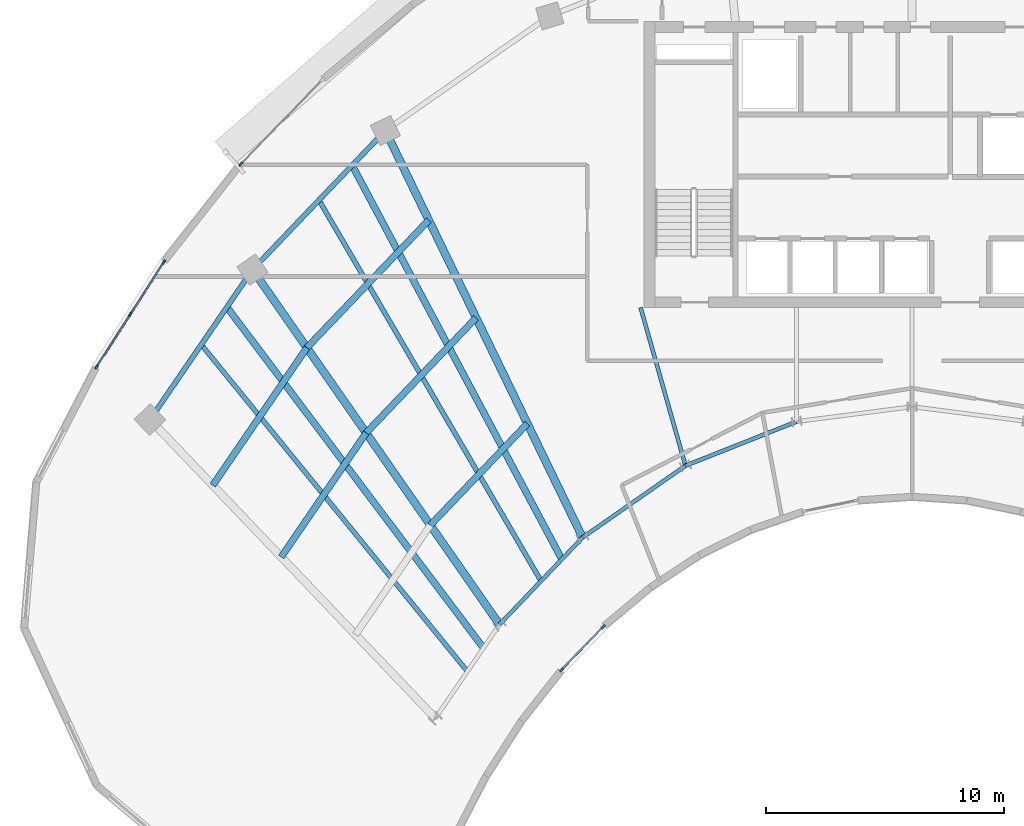
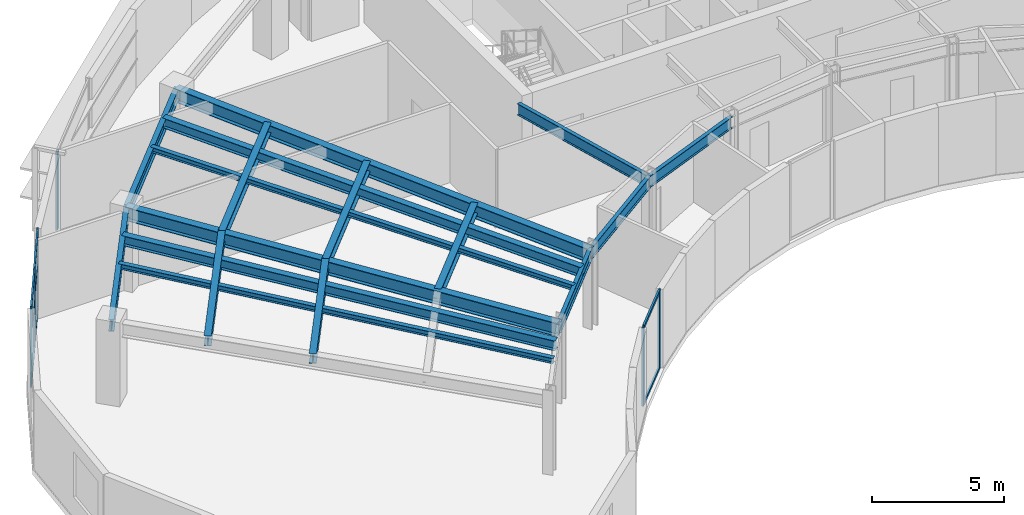
# One storey, part 2 of 14: 17 beams, 14 members, 3 elements without a shape of their own.
"""IFC4 building model written with IfcOpenShell, lengths in metres."""

from ifc_helpers import new_model, si_unit, direction, frame, origin, origin_2d, place, context, subcontext, project, spatial, rectangle, i_section, extrude, source, transform, mapped, material, layer, layer_set, material_profile, profile_set, type_object, type_shapes, element, aggregate, save


model = new_model("IFC4")

# Units and contexts
model_context = context("Model", 3, precision=1e-05, world=origin(), true_north=direction((0.0, 1.0)))
body_context = subcontext(model_context, "Body", "Model", "MODEL_VIEW")
ifc_project = project(units=[si_unit("LENGTHUNIT", "METRE"), si_unit("AREAUNIT", "SQUARE_METRE"), si_unit("VOLUMEUNIT", "CUBIC_METRE"), si_unit("PLANEANGLEUNIT", "RADIAN"), si_unit("MASSUNIT", "GRAM", prefix="KILO")], contexts=[model_context])

# Site, building, storey
site_placement = place(None, origin())
site = spatial("IfcSite", under=ifc_project, at=site_placement, CompositionType="ELEMENT")
building_placement = place(site_placement, origin())
building = spatial("IfcBuilding", under=site, at=building_placement, Name="Breltana Convention Tower", CompositionType="ELEMENT")
storey_placement = place(building_placement, frame((0.0, 0.0, 207.89990234375)))
storey = spatial("IfcBuildingStorey", under=building, at=storey_placement, Name="L50", CompositionType="ELEMENT", Elevation=207.89990234375)

# Beams
ifc_material_1 = material(Name="Steel ASTM A992 Grade 50", Category="steel")
ifc_material_profile_1 = material_profile(ifc_material_1, i_section(OverallWidth=0.280029296875, OverallDepth=0.462890625, WebThickness=0.0107421875, FlangeThickness=0.017333984375, at=origin_2d()), Name="W18X76")
ifc_profile_set_1 = profile_set([ifc_material_profile_1], Name="Steel ASTM A992 Grade 50")
beam_type_1 = type_object("IfcBeamType", Name="BM-JSG-06", PredefinedType="JOIST", material=ifc_profile_set_1)
shared_shape_1 = source(origin(), body_context, "Body", "SweptSolid", [
    extrude(i_section(OverallWidth=0.280029296875, OverallDepth=0.462890625, WebThickness=0.0107421875, FlangeThickness=0.017333984375, at=origin_2d()), origin(), (0.0, 0.0, 1.0), 6.311767578125),
])
beam_1_placement = place(storey_placement, frame((21.5166015625, 49.72607421875, 3.40869140625), z_axis=(0.564453712577, 0.825464721449, 0.0), x_axis=(-0.825464721449, 0.564453712577, 0.0)))
element("IfcBeam", 1, at=beam_1_placement, inside=storey, type_object=beam_type_1, Name="L50 Composite Floor Joist 01.2", PredefinedType="JOIST", context=body_context, shape_type="MappedRepresentation", body=[
    mapped(shared_shape_1, transform((0.0, 0.0, 0.0), scale=1.0)),
])
shared_shape_2 = source(origin(), body_context, "Body", "SweptSolid", [
    extrude(i_section(OverallWidth=0.280029296875, OverallDepth=0.462890625, WebThickness=0.0107421875, FlangeThickness=0.017333984375, at=origin_2d()), origin(), (0.0, 0.0, 1.0), 6.997314453125),
])
beam_2_placement = place(storey_placement, frame((18.641845703125, 52.735595703125, 3.40869140625), z_axis=(0.564468756361, 0.825454434292, 0.0), x_axis=(-0.825454434292, 0.564468756361, 0.0)))
element("IfcBeam", 2, at=beam_2_placement, inside=storey, type_object=beam_type_1, Name="L50 Composite Floor Joist 01.3", PredefinedType="JOIST", context=body_context, shape_type="MappedRepresentation", body=[
    mapped(shared_shape_2, transform((0.0, 0.0, 0.0), scale=1.0)),
])
ifc_material_profile_2 = material_profile(ifc_material_1, i_section(OverallWidth=0.201904296875, OverallDepth=0.2470703125, WebThickness=0.00732421875, FlangeThickness=0.010986328125, at=origin_2d()), Name="W10X33")
ifc_profile_set_2 = profile_set([ifc_material_profile_2], Name="Steel ASTM A992 Grade 50")
beam_type_2 = type_object("IfcBeamType", Name="BM-JSG-11", PredefinedType="JOIST", material=ifc_profile_set_2)
shared_shape_3 = source(origin(), body_context, "Body", "SweptSolid", [
    extrude(i_section(OverallWidth=0.201904296875, OverallDepth=0.2470703125, WebThickness=0.00732421875, FlangeThickness=0.010986328125, at=origin_2d()), origin(), (0.0, 0.0, 1.0), 17.691650390625),
])
type_shapes(beam_type_2, [shared_shape_3])
beam_3_placement = place(storey_placement, frame((29.330810546875, 44.923583984375, 3.5166015625), z_axis=(-0.631476958478, 0.775394642044, 0.0), x_axis=(-0.775394642044, -0.631476958478, 0.0)))
element("IfcBeam", 3, at=beam_3_placement, inside=storey, type_object=beam_type_2, Name="L50 Mid-Bay Radial Trimmer 01", PredefinedType="JOIST", context=body_context, shape_type="MappedRepresentation", body=[
    mapped(shared_shape_3, transform((0.0, 0.0, 0.0), scale=1.0)),
])
shared_shape_4 = source(origin(), body_context, "Body", "SweptSolid", [
    extrude(i_section(OverallWidth=0.280029296875, OverallDepth=0.462890625, WebThickness=0.0107421875, FlangeThickness=0.017333984375, at=origin_2d()), origin(), (0.0, 0.0, 1.0), 17.9072265625),
])
beam_4_placement = place(storey_placement, frame((30.00390625, 45.907958984375, 3.40869140625), z_axis=(-0.601382105028, 0.798961553363, 0.0), x_axis=(-0.798961553363, -0.601382105028, 0.0)))
element("IfcBeam", 4, at=beam_4_placement, inside=storey, type_object=beam_type_1, Name="L50 Quarter-Bay Radial Trimmer 01", PredefinedType="JOIST", context=body_context, shape_type="MappedRepresentation", body=[
    mapped(shared_shape_4, transform((0.0, 0.0, 0.0), scale=1.0)),
])
shared_shape_5 = source(origin(), body_context, "Body", "SweptSolid", [
    extrude(i_section(OverallWidth=0.280029296875, OverallDepth=0.462890625, WebThickness=0.0107421875, FlangeThickness=0.017333984375, at=origin_2d()), origin(), (0.0, 0.0, 1.0), 5.8974609375),
])
beam_5_placement = place(storey_placement, frame((27.774658203125, 51.063232421875, 3.40869140625), z_axis=(0.690713978666, 0.723128065888, 0.0), x_axis=(-0.723128065888, 0.690713978666, 0.0)))
element("IfcBeam", 5, at=beam_5_placement, inside=storey, type_object=beam_type_1, Name="L50 Composite Floor Joist 02.1", PredefinedType="JOIST", context=body_context, shape_type="MappedRepresentation", body=[
    mapped(shared_shape_5, transform((0.0, 0.0, 0.0), scale=1.0)),
])
shared_shape_6 = source(origin(), body_context, "Body", "SweptSolid", [
    extrude(i_section(OverallWidth=0.280029296875, OverallDepth=0.462890625, WebThickness=0.0107421875, FlangeThickness=0.017333984375, at=origin_2d()), origin(), (0.0, 0.0, 1.0), 6.68359375),
])
beam_6_placement = place(storey_placement, frame((25.079345703125, 54.936279296875, 3.40869140625), z_axis=(0.690720705885, 0.723121640156, 0.0), x_axis=(-0.723121640156, 0.690720705885, 0.0)))
element("IfcBeam", 6, at=beam_6_placement, inside=storey, type_object=beam_type_1, Name="L50 Composite Floor Joist 02.2", PredefinedType="JOIST", context=body_context, shape_type="MappedRepresentation", body=[
    mapped(shared_shape_6, transform((0.0, 0.0, 0.0), scale=1.0)),
])
shared_shape_7 = source(origin(), body_context, "Body", "SweptSolid", [
    extrude(i_section(OverallWidth=0.280029296875, OverallDepth=0.462890625, WebThickness=0.0107421875, FlangeThickness=0.017333984375, at=origin_2d()), origin(), (0.0, 0.0, 1.0), 7.40869140625),
])
beam_7_placement = place(storey_placement, frame((22.591552734375, 58.511474609375, 3.40869140625), z_axis=(0.690724936208, 0.723117599358, 0.0), x_axis=(-0.723117599358, 0.690724936208, 0.0)))
element("IfcBeam", 7, at=beam_7_placement, inside=storey, type_object=beam_type_1, Name="L50 Composite Floor Joist 02.3", PredefinedType="JOIST", context=body_context, shape_type="MappedRepresentation", body=[
    mapped(shared_shape_7, transform((0.0, 0.0, 0.0), scale=1.0)),
])
shared_shape_8 = source(origin(), body_context, "Body", "SweptSolid", [
    extrude(i_section(OverallWidth=0.201904296875, OverallDepth=0.2470703125, WebThickness=0.00732421875, FlangeThickness=0.010986328125, at=origin_2d()), origin(), (0.0, 0.0, 1.0), 18.50830078125),
])
beam_8_placement = place(storey_placement, frame((32.421630859375, 48.71875, 3.5166015625), z_axis=(-0.50368319637, 0.863888440537, 0.0), x_axis=(-0.863888440537, -0.50368319637, 0.0)))
element("IfcBeam", 8, at=beam_8_placement, inside=storey, type_object=beam_type_2, Name="L50 Mid-Bay Radial Trimmer 02", PredefinedType="JOIST", context=body_context, shape_type="MappedRepresentation", body=[
    mapped(shared_shape_8, transform((0.0, 0.0, 0.0), scale=1.0)),
])
shared_shape_9 = source(origin(), body_context, "Body", "SweptSolid", [
    extrude(i_section(OverallWidth=0.280029296875, OverallDepth=0.462890625, WebThickness=0.0107421875, FlangeThickness=0.017333984375, at=origin_2d()), origin(), (0.0, 0.0, 1.0), 18.731689453125),
])
beam_9_placement = place(storey_placement, frame((33.2939453125, 49.6318359375, 3.40869140625), z_axis=(-0.469820250451, 0.882762104004, 0.0), x_axis=(-0.882762104004, -0.469820250451, 0.0)))
element("IfcBeam", 9, at=beam_9_placement, inside=storey, type_object=beam_type_1, Name="L50 Quarter-Bay Radial Trimmer 02", PredefinedType="JOIST", context=body_context, shape_type="MappedRepresentation", body=[
    mapped(shared_shape_9, transform((0.0, 0.0, 0.0), scale=1.0)),
])
ifc_material_profile_3 = material_profile(ifc_material_1, i_section(OverallWidth=0.166015625, OverallDepth=0.534912109375, WebThickness=0.01025390625, FlangeThickness=0.0166015625, at=origin_2d()), Name="W21X57")
ifc_profile_set_3 = profile_set([ifc_material_profile_3], Name="Steel ASTM A992 Grade 50")
beam_type_3 = type_object("IfcBeamType", Name="BM-BM-W21X57", PredefinedType="BEAM", material=ifc_profile_set_3)
shared_shape_10 = source(origin(), body_context, "Body", "SweptSolid", [
    extrude(i_section(OverallWidth=0.166015625, OverallDepth=0.534912109375, WebThickness=0.01025390625, FlangeThickness=0.0166015625, at=origin_2d()), origin(), (0.0, 0.0, 1.0), 6.904541015625),
])
type_shapes(beam_type_3, [shared_shape_10])
beam_10_placement = place(storey_placement, frame((36.60009765625, 60.199951171875, 3.37255859375), z_axis=(0.273006781054, -0.962012108811, 0.0), x_axis=(0.962012108811, 0.273006781054, 0.0)))
element("IfcBeam", 10, at=beam_10_placement, inside=storey, type_object=beam_type_3, Name="L50 South Core Tie Girder R04", PredefinedType="BEAM", context=body_context, shape_type="MappedRepresentation", body=[
    mapped(shared_shape_10, transform((0.0, 0.0, 0.0), scale=1.0)),
])
shared_shape_11 = source(origin(), body_context, "Body", "SweptSolid", [
    extrude(i_section(OverallWidth=0.166015625, OverallDepth=0.534912109375, WebThickness=0.01025390625, FlangeThickness=0.0166015625, at=origin_2d()), origin(), (0.0, 0.0, 1.0), 5.05126953125),
])
beam_11_placement = place(storey_placement, frame((30.67724609375, 46.892333984375, 3.37255859375), z_axis=(0.690729753845, 0.7231129975, 0.0), x_axis=(-0.7231129975, 0.690729753845, 0.0)))
element("IfcBeam", 11, at=beam_11_placement, inside=storey, type_object=beam_type_3, Name="L50 Inner Ring Beam 02", PredefinedType="BEAM", context=body_context, shape_type="MappedRepresentation", body=[
    mapped(shared_shape_11, transform((0.0, 0.0, 0.0), scale=1.0)),
])
shared_shape_12 = source(origin(), body_context, "Body", "SweptSolid", [
    extrude(i_section(OverallWidth=0.166015625, OverallDepth=0.534912109375, WebThickness=0.01025390625, FlangeThickness=0.0166015625, at=origin_2d()), origin(), (0.0, 0.0, 1.0), 5.265869140625),
])
beam_12_placement = place(storey_placement, frame((34.166259765625, 50.544921875, 3.37255859375), z_axis=(0.820167429517, 0.572123577176, 0.0), x_axis=(-0.572123577176, 0.820167429517, 0.0)))
element("IfcBeam", 12, at=beam_12_placement, inside=storey, type_object=beam_type_3, Name="L50 Inner Ring Beam 03", PredefinedType="BEAM", context=body_context, shape_type="MappedRepresentation", body=[
    mapped(shared_shape_12, transform((0.0, 0.0, 0.0), scale=1.0)),
])
shared_shape_13 = source(origin(), body_context, "Body", "SweptSolid", [
    extrude(i_section(OverallWidth=0.166015625, OverallDepth=0.534912109375, WebThickness=0.01025390625, FlangeThickness=0.0166015625, at=origin_2d()), origin(), (0.0, 0.0, 1.0), 5.022705078125),
])
beam_13_placement = place(storey_placement, frame((38.485107421875, 53.5576171875, 3.37255859375), z_axis=(0.929458966248, 0.368925507469, 0.0), x_axis=(-0.368925507469, 0.929458966248, 0.0)))
element("IfcBeam", 13, at=beam_13_placement, inside=storey, type_object=beam_type_3, Name="L50 Inner Ring Beam 04", PredefinedType="BEAM", context=body_context, shape_type="MappedRepresentation", body=[
    mapped(shared_shape_13, transform((0.0, 0.0, 0.0), scale=1.0)),
])
ifc_material_profile_4 = material_profile(ifc_material_1, i_section(OverallWidth=0.326904296875, OverallDepth=0.6220703125, WebThickness=0.015380859375, FlangeThickness=0.0244140625, at=origin_2d()), Name="W24X131")
ifc_profile_set_4 = profile_set([ifc_material_profile_4], Name="Steel ASTM A992 Grade 50")
beam_type_4 = type_object("IfcBeamType", Name="BM-RG-W24X131", PredefinedType="USERDEFINED", material=ifc_profile_set_4)
shared_shape_14 = source(origin(), body_context, "Body", "SweptSolid", [
    extrude(i_section(OverallWidth=0.326904296875, OverallDepth=0.6220703125, WebThickness=0.015380859375, FlangeThickness=0.0244140625, at=origin_2d()), origin(), (0.0, 0.0, 1.0), 18.1484375),
])
beam_14_placement = place(storey_placement, frame((30.67724609375, 46.892333984375, 3.3291015625), z_axis=(-0.571207556098, 0.820805657788, 0.0), x_axis=(-0.820805657788, -0.571207556098, 0.0)))
element("IfcBeam", 14, at=beam_14_placement, inside=storey, type_object=beam_type_4, Name="L50 Radial Floor Girder R02", ObjectType="GIRDER", PredefinedType="USERDEFINED", context=body_context, shape_type="MappedRepresentation", body=[
    mapped(shared_shape_14, transform((0.0, 0.0, 0.0), scale=1.0)),
])
shared_shape_15 = source(origin(), body_context, "Body", "SweptSolid", [
    extrude(i_section(OverallWidth=0.326904296875, OverallDepth=0.6220703125, WebThickness=0.015380859375, FlangeThickness=0.0244140625, at=origin_2d()), origin(), (0.0, 0.0, 1.0), 18.982421875),
])
beam_15_placement = place(storey_placement, frame((34.166259765625, 50.544921875, 3.3291015625), z_axis=(-0.436118560343, 0.89988921614, 0.0), x_axis=(-0.89988921614, -0.436118560343, 0.0)))
element("IfcBeam", 15, at=beam_15_placement, inside=storey, type_object=beam_type_4, Name="L50 Radial Floor Girder R03", ObjectType="GIRDER", PredefinedType="USERDEFINED", context=body_context, shape_type="MappedRepresentation", body=[
    mapped(shared_shape_15, transform((0.0, 0.0, 0.0), scale=1.0)),
])
ifc_material_profile_5 = material_profile(ifc_material_1, i_section(OverallWidth=0.214111328125, OverallDepth=0.549072265625, WebThickness=0.0146484375, FlangeThickness=0.023681640625, at=origin_2d()), Name="W21X93")
ifc_profile_set_5 = profile_set([ifc_material_profile_5], Name="Steel ASTM A992 Grade 50")
beam_type_5 = type_object("IfcBeamType", Name="BM-SP-W21X93", PredefinedType="SPANDREL", material=ifc_profile_set_5)
shared_shape_16 = source(origin(), body_context, "Body", "SweptSolid", [
    extrude(i_section(OverallWidth=0.214111328125, OverallDepth=0.549072265625, WebThickness=0.0146484375, FlangeThickness=0.023681640625, at=origin_2d()), origin(), (0.0, 0.0, 1.0), 7.625),
])
type_shapes(beam_type_5, [shared_shape_16])
beam_16_placement = place(storey_placement, frame((16.0068359375, 55.494384765625, 3.365478515625), z_axis=(0.564452031902, 0.825465870694, 0.0), x_axis=(-0.825465870694, 0.564452031902, 0.0)))
element("IfcBeam", 16, at=beam_16_placement, inside=storey, type_object=beam_type_5, Name="L50 Outer Spandrel Beam 01", PredefinedType="SPANDREL", context=body_context, shape_type="MappedRepresentation", body=[
    mapped(shared_shape_16, transform((0.0, 0.0, 0.0), scale=1.0)),
])
shared_shape_17 = source(origin(), body_context, "Body", "SweptSolid", [
    extrude(i_section(OverallWidth=0.214111328125, OverallDepth=0.549072265625, WebThickness=0.0146484375, FlangeThickness=0.023681640625, at=origin_2d()), origin(), (0.0, 0.0, 1.0), 8.073974609375),
])
beam_17_placement = place(storey_placement, frame((20.310791015625, 61.78857421875, 3.365478515625), z_axis=(0.69072885448, 0.723113856588, 0.0), x_axis=(-0.723113856588, 0.69072885448, 0.0)))
element("IfcBeam", 17, at=beam_17_placement, inside=storey, type_object=beam_type_5, Name="L50 Outer Spandrel Beam 02", PredefinedType="SPANDREL", context=body_context, shape_type="MappedRepresentation", body=[
    mapped(shared_shape_17, transform((0.0, 0.0, 0.0), scale=1.0)),
])

# Curtain wall, members
ifc_material_2 = material(Name="Aluminium Anodised Bronze Frame", Category="aluminium")
ifc_layer_1 = layer(ifc_material_2, 0.18994140625, Name="Aluminium Anodised Bronze Frame")
ifc_layer_set_1 = layer_set([ifc_layer_1], Name="Aluminium Anodised Bronze Frame")
curtain_wall_type_1 = type_object("IfcCurtainWallType", Name="CW-SYS-1", PredefinedType="NOTDEFINED", material=ifc_layer_set_1)
curtain_wall_1_placement = place(storey_placement, origin())
curtain_wall_1 = element("IfcCurtainWall", 18, at=curtain_wall_1_placement, inside=storey, type_object=curtain_wall_type_1, Name="L50 inner south-court glazing 5", PredefinedType="NOTDEFINED")
ifc_material_3 = material(Name="Aluminium Anodised Bronze", Category="aluminium")
ifc_material_profile_6 = material_profile(ifc_material_3, rectangle(XDim=0.080078125, YDim=0.139892578125, at=origin_2d()), Name="CWT-80X140")
ifc_profile_set_6 = profile_set([ifc_material_profile_6], Name="Aluminium Anodised Bronze")
member_type_1 = type_object("IfcMemberType", Name="CWT-140", PredefinedType="USERDEFINED", material=ifc_profile_set_6)
shared_shape_18 = source(origin(), body_context, "Body", "SweptSolid", [
    extrude(rectangle(XDim=0.080078125, YDim=0.139892578125, at=origin_2d()), origin(), (0.0, 0.0, 1.0), 2.427490234375),
])
member_1_placement = place(storey_placement, frame((35.00244140625, 46.77001953125, 0.0400390625), z_axis=(-0.694628613474, -0.719368535135, 0.0), x_axis=(0.719368535135, -0.694628613474, 0.0)))
member_1 = element("IfcMember", 19, at=member_1_placement, type_object=member_type_1, Name="CW-01 transom 1.1", ObjectType="TRANSOM", PredefinedType="USERDEFINED", context=body_context, shape_type="MappedRepresentation", body=[
    mapped(shared_shape_18, transform((0.0, 0.0, 0.0), scale=1.0)),
])
member_2_placement = place(storey_placement, frame((35.00244140625, 46.77001953125, 3.60009765625), z_axis=(-0.694628613474, -0.719368535135, 0.0), x_axis=(0.719368535135, -0.694628613474, 0.0)))
member_2 = element("IfcMember", 20, at=member_2_placement, type_object=member_type_1, Name="CW-01 transom 1.2", ObjectType="TRANSOM", PredefinedType="USERDEFINED", context=body_context, shape_type="MappedRepresentation", body=[
    mapped(shared_shape_18, transform((0.0, 0.0, 0.0), scale=1.0)),
])

ifc_layer_2 = layer(ifc_material_2, 0.219970703125, Name="Aluminium Anodised Bronze Frame")
ifc_layer_set_2 = layer_set([ifc_layer_2], Name="Aluminium Anodised Bronze Frame")
curtain_wall_type_2 = type_object("IfcCurtainWallType", Name="CW-SYS-4", PredefinedType="NOTDEFINED", material=ifc_layer_set_2)
curtain_wall_2_placement = place(storey_placement, origin())
curtain_wall_2 = element("IfcCurtainWall", 21, at=curtain_wall_2_placement, inside=storey, type_object=curtain_wall_type_2, Name="L50 outer double-skin inner glazing 1", PredefinedType="NOTDEFINED")
ifc_material_profile_7 = material_profile(ifc_material_3, rectangle(XDim=0.070068359375, YDim=0.1201171875, at=origin_2d()), Name="CWT-70X120")
ifc_profile_set_7 = profile_set([ifc_material_profile_7], Name="Aluminium Anodised Bronze")
member_type_2 = type_object("IfcMemberType", Name="CWT-120", PredefinedType="USERDEFINED", material=ifc_profile_set_7)
shared_shape_19 = source(origin(), body_context, "Body", "SweptSolid", [
    extrude(rectangle(XDim=0.070068359375, YDim=0.1201171875, at=origin_2d()), origin(), (0.0, 0.0, 1.0), 2.531494140625),
])
member_3_placement = place(storey_placement, frame((13.787841796875, 57.744384765625, 0.03515625), z_axis=(0.540172540617, 0.841554291988, 0.0), x_axis=(-0.841554291988, 0.540172540617, 0.0)))
member_3 = element("IfcMember", 22, at=member_3_placement, type_object=member_type_2, Name="CW-04 transom 1.1", ObjectType="TRANSOM", PredefinedType="USERDEFINED", context=body_context, shape_type="MappedRepresentation", body=[
    mapped(shared_shape_19, transform((0.0, 0.0, 0.0), scale=1.0)),
])
member_4_placement = place(storey_placement, frame((13.787841796875, 57.744384765625, 2.3662109375), z_axis=(0.540172540617, 0.841554291988, 0.0), x_axis=(-0.841554291988, 0.540172540617, 0.0)))
member_4 = element("IfcMember", 23, at=member_4_placement, type_object=member_type_2, Name="CW-04 transom 1.2", ObjectType="TRANSOM", PredefinedType="USERDEFINED", context=body_context, shape_type="MappedRepresentation", body=[
    mapped(shared_shape_19, transform((0.0, 0.0, 0.0), scale=1.0)),
])
member_5_placement = place(storey_placement, frame((13.787841796875, 57.744384765625, 3.60498046875), z_axis=(0.540172540617, 0.841554291988, 0.0), x_axis=(-0.841554291988, 0.540172540617, 0.0)))
member_5 = element("IfcMember", 24, at=member_5_placement, type_object=member_type_2, Name="CW-04 transom 1.3", ObjectType="TRANSOM", PredefinedType="USERDEFINED", context=body_context, shape_type="MappedRepresentation", body=[
    mapped(shared_shape_19, transform((0.0, 0.0, 0.0), scale=1.0)),
])
member_6_placement = place(storey_placement, frame((15.198486328125, 59.94189453125, 0.03515625), z_axis=(0.540172540617, 0.841554291988, 0.0), x_axis=(-0.841554291988, 0.540172540617, 0.0)))
member_6 = element("IfcMember", 25, at=member_6_placement, type_object=member_type_2, Name="CW-04 transom 2.1", ObjectType="TRANSOM", PredefinedType="USERDEFINED", context=body_context, shape_type="MappedRepresentation", body=[
    mapped(shared_shape_19, transform((0.0, 0.0, 0.0), scale=1.0)),
])
member_7_placement = place(storey_placement, frame((15.198486328125, 59.94189453125, 2.3662109375), z_axis=(0.540172540617, 0.841554291988, 0.0), x_axis=(-0.841554291988, 0.540172540617, 0.0)))
member_7 = element("IfcMember", 26, at=member_7_placement, type_object=member_type_2, Name="CW-04 transom 2.2", ObjectType="TRANSOM", PredefinedType="USERDEFINED", context=body_context, shape_type="MappedRepresentation", body=[
    mapped(shared_shape_19, transform((0.0, 0.0, 0.0), scale=1.0)),
])
member_8_placement = place(storey_placement, frame((15.198486328125, 59.94189453125, 3.60498046875), z_axis=(0.540172540617, 0.841554291988, 0.0), x_axis=(-0.841554291988, 0.540172540617, 0.0)))
member_8 = element("IfcMember", 27, at=member_8_placement, type_object=member_type_2, Name="CW-04 transom 2.3", ObjectType="TRANSOM", PredefinedType="USERDEFINED", context=body_context, shape_type="MappedRepresentation", body=[
    mapped(shared_shape_19, transform((0.0, 0.0, 0.0), scale=1.0)),
])

# Member
ifc_material_profile_8 = material_profile(ifc_material_3, rectangle(XDim=0.080078125, YDim=0.199951171875, at=origin_2d()), Name="CWM-80X200")
ifc_profile_set_8 = profile_set([ifc_material_profile_8], Name="Aluminium Anodised Bronze")
member_type_3 = type_object("IfcMemberType", Name="CWM-200", PredefinedType="MULLION", material=ifc_profile_set_8)
shared_shape_20 = source(origin(), body_context, "Body", "SweptSolid", [
    extrude(rectangle(XDim=0.080078125, YDim=0.199951171875, at=origin_2d()), origin(), (0.0, 0.0, 1.0), 3.64013671875),
])
member_9_placement = place(storey_placement, frame((35.0302734375, 46.798828125, 0.0), z_axis=(0.0, 0.0, 1.0), x_axis=(0.719365500595, -0.694631756079, 0.0)))
member_9 = element("IfcMember", 28, at=member_9_placement, type_object=member_type_3, Name="CW-01 mullion 1", PredefinedType="MULLION", context=body_context, shape_type="MappedRepresentation", body=[
    mapped(shared_shape_20, transform((0.0, 0.0, 0.0), scale=1.0)),
])

member_10_placement = place(storey_placement, frame((33.288330078125, 44.994873046875, 0.0), z_axis=(0.0, 0.0, 1.0), x_axis=(0.719365500595, -0.694631756079, 0.0)))
member_10 = element("IfcMember", 29, at=member_10_placement, type_object=member_type_3, Name="CW-01 mullion 2", PredefinedType="MULLION", context=body_context, shape_type="MappedRepresentation", body=[
    mapped(shared_shape_20, transform((0.0, 0.0, 0.0), scale=1.0)),
])

aggregate(curtain_wall_1, [member_9, member_10, member_1, member_2])

member_11_placement = place(storey_placement, frame((13.76611328125, 57.710693359375, 0.0), z_axis=(0.0, 0.0, 1.0), x_axis=(-0.84154835428, 0.540181791075, 0.0)))
member_11 = element("IfcMember", 30, at=member_11_placement, type_object=member_type_3, Name="CW-04 mullion 1", PredefinedType="MULLION", context=body_context, shape_type="MappedRepresentation", body=[
    mapped(shared_shape_20, transform((0.0, 0.0, 0.0), scale=1.0)),
])

member_12_placement = place(storey_placement, frame((15.1767578125, 59.908203125, 0.0), z_axis=(0.0, 0.0, 1.0), x_axis=(-0.84154835428, 0.540181791075, 0.0)))
member_12 = element("IfcMember", 31, at=member_12_placement, type_object=member_type_3, Name="CW-04 mullion 2", PredefinedType="MULLION", context=body_context, shape_type="MappedRepresentation", body=[
    mapped(shared_shape_20, transform((0.0, 0.0, 0.0), scale=1.0)),
])

member_13_placement = place(storey_placement, frame((16.58740234375, 62.10595703125, 0.0), z_axis=(0.0, 0.0, 1.0), x_axis=(-0.84154835428, 0.540181791075, 0.0)))
member_13 = element("IfcMember", 32, at=member_13_placement, type_object=member_type_3, Name="CW-04 mullion 3", PredefinedType="MULLION", context=body_context, shape_type="MappedRepresentation", body=[
    mapped(shared_shape_20, transform((0.0, 0.0, 0.0), scale=1.0)),
])

aggregate(curtain_wall_2, [member_11, member_12, member_13, member_3, member_4, member_5, member_6, member_7, member_8])

# Curtain wall, member
curtain_wall_3_placement = place(storey_placement, origin())
curtain_wall_3 = element("IfcCurtainWall", 33, at=curtain_wall_3_placement, inside=storey, type_object=curtain_wall_type_2, Name="L50 outer double-skin inner glazing 2", PredefinedType="NOTDEFINED")
member_14_placement = place(storey_placement, frame((19.822265625, 66.218994140625, 0.0), z_axis=(0.0, 0.0, 1.0), x_axis=(-0.719396292115, 0.694599866751, 0.0)))
member_14 = element("IfcMember", 34, at=member_14_placement, type_object=member_type_3, Name="CW-04 mullion 1", PredefinedType="MULLION", context=body_context, shape_type="MappedRepresentation", body=[
    mapped(shared_shape_20, transform((0.0, 0.0, 0.0), scale=1.0)),
])
aggregate(curtain_wall_3, [member_14])

save(model, "model.ifc")
